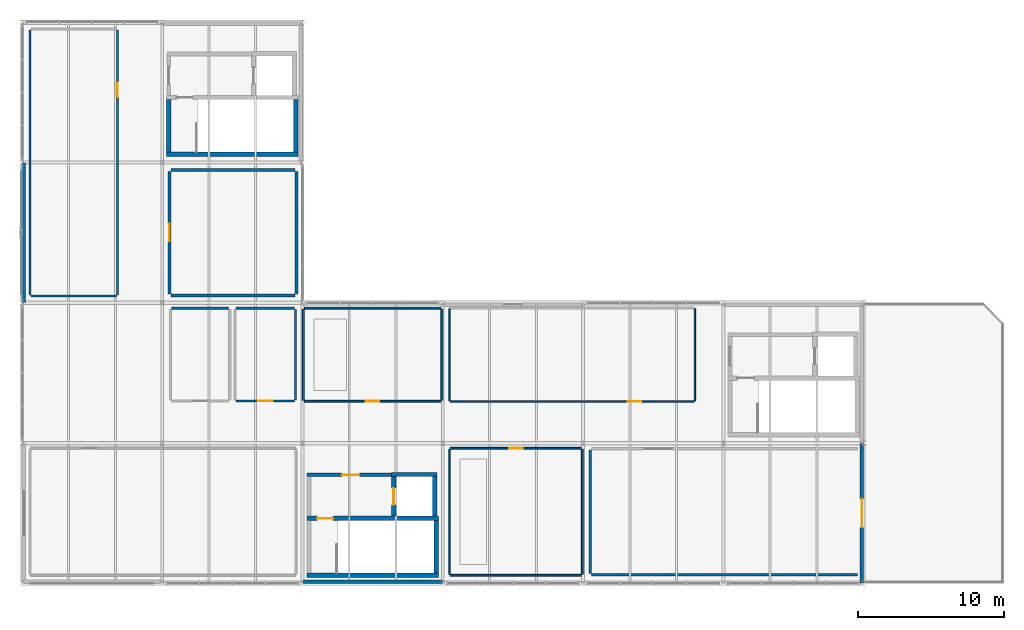
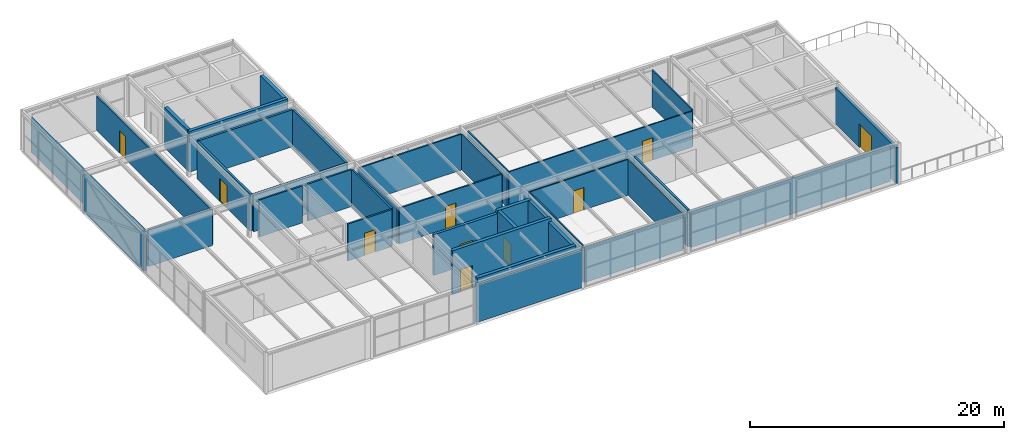
# One storey, part 31 of 33: 37 walls, 10 doors, 10 openings.
"""IFC4 building model written with IfcOpenShell, lengths in metres."""

from ifc_helpers import new_model, si_unit, direction, frame, frame_2d, origin, place, context, subcontext, project, spatial, rectangle, extrude, material, layer, layer_set, type_object, element, fill, save


model = new_model("IFC4")

# Units and contexts
model_context = context("Model", 3, precision=1e-05, world=origin(), true_north=direction((0.0, 1.0)))
body_context = subcontext(model_context, "Body", "Model", "MODEL_VIEW")
ifc_project = project(units=[si_unit("LENGTHUNIT", "METRE"), si_unit("AREAUNIT", "SQUARE_METRE"), si_unit("VOLUMEUNIT", "CUBIC_METRE"), si_unit("PLANEANGLEUNIT", "RADIAN"), si_unit("MASSUNIT", "GRAM", prefix="KILO")], contexts=[model_context])

# Site, building, storey
site_placement = place(None, origin())
site = spatial("IfcSite", under=ifc_project, at=site_placement, CompositionType="ELEMENT")
building_placement = place(site_placement, origin())
building = spatial("IfcBuilding", under=site, at=building_placement, Name="Coralgate Yard Interchange", CompositionType="ELEMENT")
storey_placement = place(building_placement, frame((0.0, 0.0, 23.10009765625)))
storey = spatial("IfcBuildingStorey", under=building, at=storey_placement, Name="L05", CompositionType="ELEMENT", Elevation=23.10009765625)

# Walls
ifc_material_1 = material(Name="Concrete C40/50", Category="concrete")
ifc_layer_1 = layer(ifc_material_1, 0.300048828125)
ifc_layer_set_1 = layer_set([ifc_layer_1], Name="Concrete C40/50")
wall_type_1 = type_object("IfcWallType", Name="WAL-CW300", PredefinedType="SHEAR", material=ifc_layer_set_1)
wall_1_placement = place(storey_placement, frame((9.89990234375, 29.3701171875, 0.0), z_axis=(0.0, 0.0, 1.0), x_axis=(1.0, 0.0, 0.0)))
element("IfcWall", 1, at=wall_1_placement, inside=storey, type_object=wall_type_1, Name="C1 L05 stair south shear wall", PredefinedType="SHEAR", context=body_context, shape_type="SweptSolid", body=[
    extrude(rectangle(XDim=9.0, YDim=0.300048828125, at=frame_2d((4.5, 0.0))), origin(), (0.0, 0.0, 1.0), 3.919921875),
])
for number, where, z_axis, x_axis, name in (
    (2, (10.050048828125, 29.52001953125, 0.0), (0.0, 0.0, 1.0), (0.0, 1.0, 0.0), "C1 L05 stair west shear wall"),
    (3, (18.75, 33.10009765625, 0.0), (0.0, 0.0, 1.0), (0.0, -1.0, 0.0), "C1 L05 stair east shear wall"),
):
    element("IfcWall", number, at=place(storey_placement, frame(where, z_axis=z_axis, x_axis=x_axis)), inside=storey, type_object=wall_type_1, Name=name, PredefinedType="SHEAR", context=body_context, shape_type="SweptSolid", body=[
        extrude(rectangle(XDim=3.580078125, YDim=0.300048828125, at=frame_2d((1.7900390625, 0.0))), origin(), (0.0, 0.0, 1.0), 3.919921875),
    ])
wall_2_placement = place(storey_placement, frame((19.5, 0.570068359375, 0.0), z_axis=(0.0, 0.0, 1.0), x_axis=(1.0, 0.0, 0.0)))
element("IfcWall", 4, at=wall_2_placement, inside=storey, type_object=wall_type_1, Name="C3 L05 stair south shear wall", PredefinedType="SHEAR", context=body_context, shape_type="SweptSolid", body=[
    extrude(rectangle(XDim=9.0, YDim=0.300048828125, at=frame_2d((4.5, 0.0))), origin(), (0.0, 0.0, 1.0), 3.919921875),
])

# Wall, opening, door
wall_3_placement = place(storey_placement, frame((28.5, 4.449951171875, 0.0), z_axis=(0.0, 0.0, 1.0), x_axis=(-1.0, 0.0, 0.0)))
wall_3 = element("IfcWall", 5, at=wall_3_placement, inside=storey, type_object=wall_type_1, Name="C3 L05 stair north shear wall", PredefinedType="SHEAR", context=body_context, shape_type="SweptSolid", body=[
    extrude(rectangle(XDim=9.0, YDim=0.300048828125, at=frame_2d((4.5, 0.0))), origin(), (0.0, 0.0, 1.0), 4.199951171875),
])
opening_1_placement = place(wall_3_placement, frame((7.199951171875, 0.0, 0.0)))
opening_1 = element("IfcOpeningElement", 6, at=opening_1_placement, cuts=wall_3, Name="Opening FD-1", PredefinedType="OPENING", context=body_context, shape_type="SweptSolid", body=[
    extrude(rectangle(XDim=1.10009765625, YDim=2.14990234375, at=frame_2d((0.550048828125, 1.074951171875))), frame((0.0, 0.159912109375, 0.0), z_axis=(0.0, -1.0, 0.0), x_axis=(1.0, 0.0, 0.0)), (0.0, 0.0, 1.0), 0.320068359375),
])
ifc_material_2 = material(Name="Powder-coated steel fire door assembly", Category="steel")
door_type_1 = type_object("IfcDoorType", Name="DOR-FD-1", OperationType="NOTDEFINED", PredefinedType="DOOR", material=ifc_material_2)
door_1_placement = place(opening_1_placement, frame((1.10009765625, 0.0, 0.0), z_axis=(0.0, 0.0, 1.0), x_axis=(-1.0, 0.0, 0.0)))
door_1 = element("IfcDoor", 7, at=door_1_placement, inside=storey, type_object=door_type_1, Name="C3 L05 stair fire door", OperationType="SINGLE_SWING_RIGHT", OverallHeight=2.14990234375, OverallWidth=1.10009765625, PredefinedType="DOOR", context=body_context, shape_type="SweptSolid", body=[
    extrude(rectangle(XDim=1.10009765625, YDim=2.14990234375, at=frame_2d((0.550048828125, 1.074951171875))), frame((0.0, 0.02490234375, 0.0), z_axis=(0.0, -1.0, 0.0), x_axis=(1.0, 0.0, 0.0)), (0.0, 0.0, 1.0), 0.050048828125),
])
fill(opening_1, door_1)

# Wall
wall_4_placement = place(storey_placement, frame((28.35009765625, 4.300048828125, 0.0), z_axis=(0.0, 0.0, 1.0), x_axis=(0.0, -1.0, 0.0)))
element("IfcWall", 8, at=wall_4_placement, inside=storey, type_object=wall_type_1, Name="C3 L05 stair east shear wall", PredefinedType="SHEAR", context=body_context, shape_type="SweptSolid", body=[
    extrude(rectangle(XDim=3.580078125, YDim=0.300048828125, at=frame_2d((1.7900390625, 0.0))), origin(), (0.0, 0.0, 1.0), 3.919921875),
])

# Wall, opening, door
wall_5_placement = place(storey_placement, frame((25.449951171875, 7.300048828125, 0.0), z_axis=(0.0, 0.0, 1.0), x_axis=(0.0, -1.0, 0.0)))
wall_5 = element("IfcWall", 9, at=wall_5_placement, inside=storey, type_object=wall_type_1, Name="C3 L05 lift front shear wall", PredefinedType="SHEAR", context=body_context, shape_type="SweptSolid", body=[
    extrude(rectangle(XDim=2.699951171875, YDim=0.300048828125, at=frame_2d((1.35009765625, 0.0))), origin(), (0.0, 0.0, 1.0), 4.199951171875),
])
opening_2_placement = place(wall_5_placement, frame((0.77490234375, 0.0, 0.0)))
opening_2 = element("IfcOpeningElement", 10, at=opening_2_placement, cuts=wall_5, Name="Opening LD-2", PredefinedType="OPENING", context=body_context, shape_type="SweptSolid", body=[
    extrude(rectangle(XDim=1.14990234375, YDim=2.10009765625, at=frame_2d((0.574951171875, 1.050048828125))), frame((0.0, 0.159912109375, 0.0), z_axis=(0.0, -1.0, 0.0), x_axis=(1.0, 0.0, 0.0)), (0.0, 0.0, 1.0), 0.320068359375),
])
ifc_material_3 = material(Name="Brushed stainless steel passenger lift landing door", Category="steel")
door_type_2 = type_object("IfcDoorType", Name="DOR-LD-2", OperationType="DOUBLE_DOOR_SLIDING", PredefinedType="DOOR", material=ifc_material_3)
door_2_placement = place(opening_2_placement, frame((1.14990234375, 0.0, 0.0), z_axis=(0.0, 0.0, 1.0), x_axis=(-1.0, 0.0, 0.0)))
door_2 = element("IfcDoor", 11, at=door_2_placement, inside=storey, type_object=door_type_2, Name="LF-01 L05 sliding lift landing door", OperationType="DOUBLE_DOOR_SLIDING", OverallHeight=2.10009765625, OverallWidth=1.14990234375, PredefinedType="DOOR", context=body_context, shape_type="SweptSolid", body=[
    extrude(rectangle(XDim=1.14990234375, YDim=2.10009765625, at=frame_2d((0.574951171875, 1.050048828125))), frame((0.0, 0.02490234375, 0.0), z_axis=(0.0, -1.0, 0.0), x_axis=(1.0, 0.0, 0.0)), (0.0, 0.0, 1.0), 0.050048828125),
])
fill(opening_2, door_2)

# Walls
wall_6_placement = place(storey_placement, frame((28.25, 4.60009765625, 0.0), z_axis=(0.0, 0.0, 1.0), x_axis=(0.0, 1.0, 0.0)))
element("IfcWall", 12, at=wall_6_placement, inside=storey, type_object=wall_type_1, Name="C3 L05 lift rear shear wall", PredefinedType="SHEAR", context=body_context, shape_type="SweptSolid", body=[
    extrude(rectangle(XDim=2.699951171875, YDim=0.300048828125, at=frame_2d((1.35009765625, 0.0))), origin(), (0.0, 0.0, 1.0), 4.199951171875),
])
wall_7_placement = place(storey_placement, frame((25.300048828125, 7.449951171875, 0.0), z_axis=(0.0, 0.0, 1.0), x_axis=(1.0, 0.0, 0.0)))
element("IfcWall", 13, at=wall_7_placement, inside=storey, type_object=wall_type_1, Name="C3 L05 lift north shear wall", PredefinedType="SHEAR", context=body_context, shape_type="SweptSolid", body=[
    extrude(rectangle(XDim=3.099853515625, YDim=0.300048828125, at=frame_2d((1.5498046875, 0.0))), origin(), (0.0, 0.0, 1.0), 4.199951171875),
])
ifc_material_4 = material(Name="Insulated rendered concrete blockwork", Category="masonry")
ifc_layer_2 = layer(ifc_material_4, 0.239990234375)
ifc_layer_set_2 = layer_set([ifc_layer_2], Name="Insulated rendered concrete blockwork")
wall_type_2 = type_object("IfcWallType", Name="WAL-EW-240", PredefinedType="SOLIDWALL", material=ifc_layer_set_2)
wall_8_placement = place(storey_placement, frame((0.1201171875, 19.219970703125, 0.0), z_axis=(0.0, 0.0, 1.0), x_axis=(0.0, 1.0, 0.0)))
element("IfcWall", 14, at=wall_8_placement, inside=storey, type_object=wall_type_2, Name="L05 exterior coastal wall W 0-2", PredefinedType="SOLIDWALL", context=body_context, shape_type="SweptSolid", body=[
    extrude(rectangle(XDim=9.56005859375, YDim=0.239990234375, at=frame_2d((4.780029296875, 0.0))), origin(), (0.0, 0.0, 1.0), 3.462890625),
])
wall_9_placement = place(storey_placement, frame((28.780029296875, 0.1201171875, 0.0), z_axis=(0.0, 0.0, 1.0), x_axis=(-1.0, 0.0, 0.0)))
element("IfcWall", 15, at=wall_9_placement, inside=storey, type_object=wall_type_2, Name="L05 exterior coastal wall S 2-0", PredefinedType="SOLIDWALL", context=body_context, shape_type="SweptSolid", body=[
    extrude(rectangle(XDim=9.56005859375, YDim=0.239990234375, at=frame_2d((4.780029296875, 0.0))), origin(), (0.0, 0.0, 1.0), 3.6298828125),
])

# Wall, opening, door
wall_10_placement = place(storey_placement, frame((57.47998046875, 9.580078125, 0.0), z_axis=(0.0, 0.0, 1.0), x_axis=(0.0, -1.0, 0.0)))
wall_10 = element("IfcWall", 16, at=wall_10_placement, inside=storey, type_object=wall_type_2, Name="L05 exterior coastal wall E 5-0", PredefinedType="SOLIDWALL", context=body_context, shape_type="SweptSolid", body=[
    extrude(rectangle(XDim=9.56005859375, YDim=0.239990234375, at=frame_2d((4.780029296875, 0.0))), origin(), (0.0, 0.0, 1.0), 3.462890625),
])
opening_3_placement = place(wall_10_placement, frame((3.800048828125, 0.0, 0.0)))
opening_3 = element("IfcOpeningElement", 17, at=opening_3_placement, cuts=wall_10, Name="Opening VD-4", PredefinedType="OPENING", context=body_context, shape_type="SweptSolid", body=[
    extrude(rectangle(XDim=1.949951171875, YDim=2.25, at=frame_2d((0.97509765625, 1.125))), frame((0.0, 0.1298828125, 0.0), z_axis=(0.0, -1.0, 0.0), x_axis=(1.0, 0.0, 0.0)), (0.0, 0.0, 1.0), 0.260009765625),
])
ifc_material_5 = material(Name="Thermally broken aluminium executive terrace double door", Category="aluminium")
door_type_3 = type_object("IfcDoorType", Name="DOR-VD-4", OperationType="NOTDEFINED", PredefinedType="DOOR", material=ifc_material_5)
door_3_placement = place(opening_3_placement, origin())
door_3 = element("IfcDoor", 18, at=door_3_placement, inside=storey, type_object=door_type_3, Name="L05 coastal veranda double door 5-0", OperationType="DOUBLE_DOOR_SINGLE_SWING", OverallHeight=2.25, OverallWidth=1.949951171875, PredefinedType="DOOR", context=body_context, shape_type="SweptSolid", body=[
    extrude(rectangle(XDim=1.949951171875, YDim=2.25, at=frame_2d((0.97509765625, 1.125))), frame((0.0, 0.02490234375, 0.0), z_axis=(0.0, -1.0, 0.0), x_axis=(1.0, 0.0, 0.0)), (0.0, 0.0, 1.0), 0.050048828125),
])
fill(opening_3, door_3)

# Wall
ifc_material_6 = material(Name="Glazed acoustic office partition")
ifc_layer_3 = layer(ifc_material_6, 0.110107421875)
ifc_layer_set_3 = layer_set([ifc_layer_3], Name="Glazed acoustic office partition")
wall_type_3 = type_object("IfcWallType", Name="WAL-PW-110", PredefinedType="PARTITIONING", material=ifc_layer_set_3)
wall_11_placement = place(storey_placement, frame((38.2900390625, 0.554931640625, 0.0), z_axis=(0.0, 0.0, 1.0), x_axis=(-1.0, 0.0, 0.0)))
element("IfcWall", 19, at=wall_11_placement, inside=storey, type_object=wall_type_3, Name="Infrastructure Engineering Design Studio partition S", PredefinedType="PARTITIONING", context=body_context, shape_type="SweptSolid", body=[
    extrude(rectangle(XDim=8.97998046875, YDim=0.110107421875, at=frame_2d((4.489990234375, 0.0))), origin(), (0.0, 0.0, 1.0), 3.452880859375),
])

# Wall, opening, door
wall_12_placement = place(storey_placement, frame((29.31005859375, 9.2451171875, 0.0), z_axis=(0.0, 0.0, 1.0), x_axis=(1.0, 0.0, 0.0)))
wall_12 = element("IfcWall", 20, at=wall_12_placement, inside=storey, type_object=wall_type_3, Name="Infrastructure Engineering Design Studio partition N", PredefinedType="PARTITIONING", context=body_context, shape_type="SweptSolid", body=[
    extrude(rectangle(XDim=8.97998046875, YDim=0.110107421875, at=frame_2d((4.489990234375, 0.0))), origin(), (0.0, 0.0, 1.0), 3.452880859375),
])
opening_4_placement = place(wall_12_placement, frame((4.030029296875, 0.0, 0.0)))
opening_4 = element("IfcOpeningElement", 21, at=opening_4_placement, cuts=wall_12, Name="Opening ID-11", PredefinedType="OPENING", context=body_context, shape_type="SweptSolid", body=[
    extrude(rectangle(XDim=0.919921875, YDim=2.14990234375, at=frame_2d((0.4599609375, 1.074951171875))), frame((0.0, 0.06494140625, 0.0), z_axis=(0.0, -1.0, 0.0), x_axis=(1.0, 0.0, 0.0)), (0.0, 0.0, 1.0), 0.130126953125),
])
ifc_material_7 = material(Name="Timber administrative room door", Category="wood")
door_type_4 = type_object("IfcDoorType", Name="DOR-ID-11", OperationType="NOTDEFINED", PredefinedType="DOOR", material=ifc_material_7)
door_4_placement = place(opening_4_placement, frame((0.919921875, 0.0, 0.0), z_axis=(0.0, 0.0, 1.0), x_axis=(-1.0, 0.0, 0.0)))
door_4 = element("IfcDoor", 22, at=door_4_placement, inside=storey, type_object=door_type_4, Name="Infrastructure Engineering Design Studio door", OperationType="SINGLE_SWING_LEFT", OverallHeight=2.14990234375, OverallWidth=0.919921875, PredefinedType="DOOR", context=body_context, shape_type="SweptSolid", body=[
    extrude(rectangle(XDim=0.919921875, YDim=2.14990234375, at=frame_2d((0.4599609375, 1.074951171875))), frame((0.0, 0.02490234375, 0.0), z_axis=(0.0, -1.0, 0.0), x_axis=(1.0, 0.0, 0.0)), (0.0, 0.0, 1.0), 0.050048828125),
])
fill(opening_4, door_4)

# Walls
wall_13_placement = place(storey_placement, frame((29.2548828125, 0.610107421875, 0.0), z_axis=(0.0, 0.0, 1.0), x_axis=(0.0, 1.0, 0.0)))
element("IfcWall", 23, at=wall_13_placement, inside=storey, type_object=wall_type_3, Name="Infrastructure Engineering Design Studio partition W", PredefinedType="PARTITIONING", context=body_context, shape_type="SweptSolid", body=[
    extrude(rectangle(XDim=8.579833984375, YDim=0.110107421875, at=frame_2d((4.2900390625, 0.0))), origin(), (0.0, 0.0, 1.0), 3.559814453125),
])
wall_14_placement = place(storey_placement, frame((38.344970703125, 9.18994140625, 0.0), z_axis=(0.0, 0.0, 1.0), x_axis=(0.0, -1.0, 0.0)))
element("IfcWall", 24, at=wall_14_placement, inside=storey, type_object=wall_type_3, Name="Infrastructure Engineering Design Studio partition E", PredefinedType="PARTITIONING", context=body_context, shape_type="SweptSolid", body=[
    extrude(rectangle(XDim=8.579833984375, YDim=0.110107421875, at=frame_2d((4.2900390625, 0.0))), origin(), (0.0, 0.0, 1.0), 3.452880859375),
])

# Wall, opening, door
wall_15_placement = place(storey_placement, frame((45.989990234375, 12.455078125, 0.0), z_axis=(0.0, 0.0, 1.0), x_axis=(-1.0, 0.0, 0.0)))
wall_15 = element("IfcWall", 25, at=wall_15_placement, inside=storey, type_object=wall_type_3, Name="Directorate and Legal Advisory Offices partition S", PredefinedType="PARTITIONING", context=body_context, shape_type="SweptSolid", body=[
    extrude(rectangle(XDim=16.679931640625, YDim=0.110107421875, at=frame_2d((8.33984375, 0.0))), origin(), (0.0, 0.0, 1.0), 3.452880859375),
])
opening_5_placement = place(wall_15_placement, frame((3.60009765625, 0.0, 0.0)))
opening_5 = element("IfcOpeningElement", 26, at=opening_5_placement, cuts=wall_15, Name="Opening ID-01", PredefinedType="OPENING", context=body_context, shape_type="SweptSolid", body=[
    extrude(rectangle(XDim=0.949951171875, YDim=2.14990234375, at=frame_2d((0.47509765625, 1.074951171875))), frame((0.0, 0.06494140625, 0.0), z_axis=(0.0, -1.0, 0.0), x_axis=(1.0, 0.0, 0.0)), (0.0, 0.0, 1.0), 0.130126953125),
])
ifc_material_8 = material(Name="Solid-core hardwood timber office door", Category="wood")
door_type_5 = type_object("IfcDoorType", Name="DOR-ID-01", OperationType="NOTDEFINED", PredefinedType="DOOR", material=ifc_material_8)
door_5_placement = place(opening_5_placement, frame((0.949951171875, 0.0, 0.0), z_axis=(0.0, 0.0, 1.0), x_axis=(-1.0, 0.0, 0.0)))
door_5 = element("IfcDoor", 27, at=door_5_placement, inside=storey, type_object=door_type_5, Name="Directorate and Legal Advisory Offices door", OperationType="SINGLE_SWING_LEFT", OverallHeight=2.14990234375, OverallWidth=0.949951171875, PredefinedType="DOOR", context=body_context, shape_type="SweptSolid", body=[
    extrude(rectangle(XDim=0.949951171875, YDim=2.14990234375, at=frame_2d((0.47509765625, 1.074951171875))), frame((0.0, 0.02490234375, 0.0), z_axis=(0.0, -1.0, 0.0), x_axis=(1.0, 0.0, 0.0)), (0.0, 0.0, 1.0), 0.050048828125),
])
fill(opening_5, door_5)

# Walls
for number, where, z_axis, x_axis, name in (
    (28, (29.2548828125, 12.510009765625, 0.0), (0.0, 0.0, 1.0), (0.0, 1.0, 0.0), "Directorate and Legal Advisory Offices partition W"),
    (29, (46.044921875, 18.7900390625, 0.0), (0.0, 0.0, 1.0), (0.0, -1.0, 0.0), "Directorate and Legal Advisory Offices partition E"),
):
    element("IfcWall", number, at=place(storey_placement, frame(where, z_axis=z_axis, x_axis=x_axis)), inside=storey, type_object=wall_type_3, Name=name, PredefinedType="PARTITIONING", context=body_context, shape_type="SweptSolid", body=[
        extrude(rectangle(XDim=6.280029296875, YDim=0.110107421875, at=frame_2d((3.14013671875, 0.0))), origin(), (0.0, 0.0, 1.0), 3.559814453125),
    ])

# Wall, opening, door
ifc_material_9 = material(Name="Fire-lined corridor stud partition")
ifc_layer_4 = layer(ifc_material_9, 0.1298828125)
ifc_layer_set_4 = layer_set([ifc_layer_4], Name="Fire-lined corridor stud partition")
wall_type_4 = type_object("IfcWallType", Name="WAL-PW-130", PredefinedType="PARTITIONING", material=ifc_layer_set_4)
wall_16_placement = place(storey_placement, frame((28.669921875, 12.465087890625, 0.0), z_axis=(0.0, 0.0, 1.0), x_axis=(-1.0, 0.0, 0.0)))
wall_16 = element("IfcWall", 30, at=wall_16_placement, inside=storey, type_object=wall_type_4, Name="Capital Projects Procurement Suite partition S", PredefinedType="PARTITIONING", context=body_context, shape_type="SweptSolid", body=[
    extrude(rectangle(XDim=9.33984375, YDim=0.1298828125, at=frame_2d((4.669921875, 0.0))), origin(), (0.0, 0.0, 1.0), 3.452880859375),
])
opening_6_placement = place(wall_16_placement, frame((4.2099609375, 0.0, 0.0)))
opening_6 = element("IfcOpeningElement", 31, at=opening_6_placement, cuts=wall_16, Name="Opening ID-11", PredefinedType="OPENING", context=body_context, shape_type="SweptSolid", body=[
    extrude(rectangle(XDim=0.919921875, YDim=2.14990234375, at=frame_2d((0.4599609375, 1.074951171875))), frame((0.0, 0.074951171875, 0.0), z_axis=(0.0, -1.0, 0.0), x_axis=(1.0, 0.0, 0.0)), (0.0, 0.0, 1.0), 0.14990234375),
])
door_6_placement = place(opening_6_placement, frame((0.919921875, 0.0, 0.0), z_axis=(0.0, 0.0, 1.0), x_axis=(-1.0, 0.0, 0.0)))
door_6 = element("IfcDoor", 32, at=door_6_placement, inside=storey, type_object=door_type_4, Name="Capital Projects Procurement Suite door", OperationType="SINGLE_SWING_RIGHT", OverallHeight=2.14990234375, OverallWidth=0.919921875, PredefinedType="DOOR", context=body_context, shape_type="SweptSolid", body=[
    extrude(rectangle(XDim=0.919921875, YDim=2.14990234375, at=frame_2d((0.4599609375, 1.074951171875))), frame((0.0, 0.02490234375, 0.0), z_axis=(0.0, -1.0, 0.0), x_axis=(1.0, 0.0, 0.0)), (0.0, 0.0, 1.0), 0.050048828125),
])
fill(opening_6, door_6)

# Walls
wall_17_placement = place(storey_placement, frame((19.330078125, 18.8349609375, 0.0), z_axis=(0.0, 0.0, 1.0), x_axis=(1.0, 0.0, 0.0)))
element("IfcWall", 33, at=wall_17_placement, inside=storey, type_object=wall_type_4, Name="Capital Projects Procurement Suite partition N", PredefinedType="PARTITIONING", context=body_context, shape_type="SweptSolid", body=[
    extrude(rectangle(XDim=9.33984375, YDim=0.1298828125, at=frame_2d((4.669921875, 0.0))), origin(), (0.0, 0.0, 1.0), 3.452880859375),
])
for number, where, z_axis, x_axis, name in (
    (34, (19.264892578125, 12.530029296875, 0.0), (0.0, 0.0, 1.0), (0.0, 1.0, 0.0), "Capital Projects Procurement Suite partition W"),
    (35, (28.735107421875, 18.77001953125, 0.0), (0.0, 0.0, 1.0), (0.0, -1.0, 0.0), "Capital Projects Procurement Suite partition E"),
):
    element("IfcWall", number, at=place(storey_placement, frame(where, z_axis=z_axis, x_axis=x_axis)), inside=storey, type_object=wall_type_4, Name=name, PredefinedType="PARTITIONING", context=body_context, shape_type="SweptSolid", body=[
        extrude(rectangle(XDim=6.239990234375, YDim=0.1298828125, at=frame_2d((3.1201171875, 0.0))), origin(), (0.0, 0.0, 1.0), 3.452880859375),
    ])
ifc_material_10 = material(Name="Acoustic twin-stud office partition")
ifc_layer_5 = layer(ifc_material_10, 0.139892578125)
ifc_layer_set_5 = layer_set([ifc_layer_5], Name="Acoustic twin-stud office partition")
wall_type_5 = type_object("IfcWallType", Name="WAL-PW-140", PredefinedType="PARTITIONING", material=ifc_layer_set_5)
wall_18_placement = place(storey_placement, frame((6.4599609375, 19.669921875, 0.0), z_axis=(0.0, 0.0, 1.0), x_axis=(-1.0, 0.0, 0.0)))
element("IfcWall", 36, at=wall_18_placement, inside=storey, type_object=wall_type_5, Name="Executive Veranda Reception Lounge partition S", PredefinedType="PARTITIONING", context=body_context, shape_type="SweptSolid", body=[
    extrude(rectangle(XDim=5.820068359375, YDim=0.139892578125, at=frame_2d((2.91015625, 0.0))), origin(), (0.0, 0.0, 1.0), 3.559814453125),
])
wall_19_placement = place(storey_placement, frame((0.570068359375, 19.739990234375, 0.0), z_axis=(0.0, 0.0, 1.0), x_axis=(0.0, 1.0, 0.0)))
element("IfcWall", 37, at=wall_19_placement, inside=storey, type_object=wall_type_5, Name="Executive Veranda Reception Lounge partition W", PredefinedType="PARTITIONING", context=body_context, shape_type="SweptSolid", body=[
    extrude(rectangle(XDim=18.1201171875, YDim=0.139892578125, at=frame_2d((9.06005859375, 0.0))), origin(), (0.0, 0.0, 1.0), 3.30224609375),
])

# Wall, opening, door
wall_20_placement = place(storey_placement, frame((6.530029296875, 37.860107421875, 0.0), z_axis=(0.0, 0.0, 1.0), x_axis=(0.0, -1.0, 0.0)))
wall_20 = element("IfcWall", 38, at=wall_20_placement, inside=storey, type_object=wall_type_5, Name="Executive Veranda Reception Lounge partition E", PredefinedType="PARTITIONING", context=body_context, shape_type="SweptSolid", body=[
    extrude(rectangle(XDim=18.1201171875, YDim=0.139892578125, at=frame_2d((9.06005859375, 0.0))), origin(), (0.0, 0.0, 1.0), 3.30224609375),
])
opening_7_placement = place(wall_20_placement, frame((3.60009765625, 0.0, 0.0)))
opening_7 = element("IfcOpeningElement", 39, at=opening_7_placement, cuts=wall_20, Name="Opening ID-01", PredefinedType="OPENING", context=body_context, shape_type="SweptSolid", body=[
    extrude(rectangle(XDim=0.949951171875, YDim=2.14990234375, at=frame_2d((0.47509765625, 1.074951171875))), frame((0.0, 0.079833984375, 0.0), z_axis=(0.0, -1.0, 0.0), x_axis=(1.0, 0.0, 0.0)), (0.0, 0.0, 1.0), 0.159912109375),
])
door_7_placement = place(opening_7_placement, frame((0.949951171875, 0.0, 0.0), z_axis=(0.0, 0.0, 1.0), x_axis=(-1.0, 0.0, 0.0)))
door_7 = element("IfcDoor", 40, at=door_7_placement, inside=storey, type_object=door_type_5, Name="Executive Veranda Reception Lounge door", OperationType="SINGLE_SWING_LEFT", OverallHeight=2.14990234375, OverallWidth=0.949951171875, PredefinedType="DOOR", context=body_context, shape_type="SweptSolid", body=[
    extrude(rectangle(XDim=0.949951171875, YDim=2.14990234375, at=frame_2d((0.47509765625, 1.074951171875))), frame((0.0, 0.02490234375, 0.0), z_axis=(0.0, -1.0, 0.0), x_axis=(1.0, 0.0, 0.0)), (0.0, 0.0, 1.0), 0.050048828125),
])
fill(opening_7, door_7)

# Wall
ifc_material_11 = material(Name="Moisture-resistant masonry washroom wall", Category="masonry")
ifc_layer_6 = layer(ifc_material_11, 0.14990234375)
ifc_layer_set_6 = layer_set([ifc_layer_6], Name="Moisture-resistant masonry washroom wall")
wall_type_6 = type_object("IfcWallType", Name="WAL-PW-150", PredefinedType="PLUMBINGWALL", material=ifc_layer_set_6)
wall_21_placement = place(storey_placement, frame((10.25, 18.824951171875, 0.0), z_axis=(0.0, 0.0, 1.0), x_axis=(1.0, 0.0, 0.0)))
element("IfcWall", 41, at=wall_21_placement, inside=storey, type_object=wall_type_6, Name="L05 Management Washroom partition N", PredefinedType="PLUMBINGWALL", context=body_context, shape_type="SweptSolid", body=[
    extrude(rectangle(XDim=3.89990234375, YDim=0.14990234375, at=frame_2d((1.949951171875, 0.0))), origin(), (0.0, 0.0, 1.0), 3.559814453125),
])

# Wall, opening, door
wall_22_placement = place(storey_placement, frame((18.64990234375, 12.47509765625, 0.0), z_axis=(0.0, 0.0, 1.0), x_axis=(-1.0, 0.0, 0.0)))
wall_22 = element("IfcWall", 42, at=wall_22_placement, inside=storey, type_object=wall_type_6, Name="L05 Accessible WC partition S", PredefinedType="PLUMBINGWALL", context=body_context, shape_type="SweptSolid", body=[
    extrude(rectangle(XDim=4.0, YDim=0.14990234375, at=frame_2d((2.0, 0.0))), origin(), (0.0, 0.0, 1.0), 3.559814453125),
])
opening_8_placement = place(wall_22_placement, frame((1.5, 0.0, 0.0)))
opening_8 = element("IfcOpeningElement", 43, at=opening_8_placement, cuts=wall_22, Name="Opening ID-02", PredefinedType="OPENING", context=body_context, shape_type="SweptSolid", body=[
    extrude(rectangle(XDim=1.0, YDim=2.14990234375, at=frame_2d((0.5, 1.074951171875))), frame((0.0, 0.0849609375, 0.0), z_axis=(0.0, -1.0, 0.0), x_axis=(1.0, 0.0, 0.0)), (0.0, 0.0, 1.0), 0.169921875),
])
ifc_material_12 = material(Name="Accessible wide-leaf washroom and office door")
door_type_6 = type_object("IfcDoorType", Name="DOR-ID-02", OperationType="NOTDEFINED", PredefinedType="DOOR", material=ifc_material_12)
door_8_placement = place(opening_8_placement, frame((1.0, 0.0, 0.0), z_axis=(0.0, 0.0, 1.0), x_axis=(-1.0, 0.0, 0.0)))
door_8 = element("IfcDoor", 44, at=door_8_placement, inside=storey, type_object=door_type_6, Name="L05 Accessible WC door", OperationType="SINGLE_SWING_RIGHT", OverallHeight=2.14990234375, OverallWidth=1.0, PredefinedType="DOOR", context=body_context, shape_type="SweptSolid", body=[
    extrude(rectangle(XDim=1.0, YDim=2.14990234375, at=frame_2d((0.5, 1.074951171875))), frame((0.0, 0.02490234375, 0.0), z_axis=(0.0, -1.0, 0.0), x_axis=(1.0, 0.0, 0.0)), (0.0, 0.0, 1.0), 0.050048828125),
])
fill(opening_8, door_8)

# Walls
wall_23_placement = place(storey_placement, frame((14.64990234375, 18.824951171875, 0.0), z_axis=(0.0, 0.0, 1.0), x_axis=(1.0, 0.0, 0.0)))
element("IfcWall", 45, at=wall_23_placement, inside=storey, type_object=wall_type_6, Name="L05 Accessible WC partition N", PredefinedType="PLUMBINGWALL", context=body_context, shape_type="SweptSolid", body=[
    extrude(rectangle(XDim=4.0, YDim=0.14990234375, at=frame_2d((2.0, 0.0))), origin(), (0.0, 0.0, 1.0), 3.559814453125),
])
wall_24_placement = place(storey_placement, frame((18.72509765625, 18.75, 0.0), z_axis=(0.0, 0.0, 1.0), x_axis=(0.0, -1.0, 0.0)))
element("IfcWall", 46, at=wall_24_placement, inside=storey, type_object=wall_type_6, Name="L05 Accessible WC partition E", PredefinedType="PLUMBINGWALL", context=body_context, shape_type="SweptSolid", body=[
    extrude(rectangle(XDim=6.199951171875, YDim=0.14990234375, at=frame_2d((3.10009765625, 0.0))), origin(), (0.0, 0.0, 1.0), 3.559814453125),
])
ifc_material_13 = material(Name="Acoustic concrete blockwork", Category="masonry")
ifc_layer_7 = layer(ifc_material_13, 0.179931640625)
ifc_layer_set_7 = layer_set([ifc_layer_7], Name="Acoustic concrete blockwork")
wall_type_7 = type_object("IfcWallType", Name="WAL-PW-180", PredefinedType="PARTITIONING", material=ifc_layer_set_7)
wall_25_placement = place(storey_placement, frame((57.159912109375, 0.590087890625, 0.0), z_axis=(0.0, 0.0, 1.0), x_axis=(-1.0, 0.0, 0.0)))
element("IfcWall", 47, at=wall_25_placement, inside=storey, type_object=wall_type_7, Name="Executive Transit Board Conference Hall partition S", PredefinedType="PARTITIONING", context=body_context, shape_type="SweptSolid", body=[
    extrude(rectangle(XDim=18.179931640625, YDim=0.179931640625, at=frame_2d((9.08984375, 0.0))), origin(), (0.0, 0.0, 1.0), 3.452880859375),
])
wall_26_placement = place(storey_placement, frame((38.889892578125, 0.679931640625, 0.0), z_axis=(0.0, 0.0, 1.0), x_axis=(0.0, 1.0, 0.0)))
element("IfcWall", 48, at=wall_26_placement, inside=storey, type_object=wall_type_7, Name="Executive Transit Board Conference Hall partition W", PredefinedType="PARTITIONING", context=body_context, shape_type="SweptSolid", body=[
    extrude(rectangle(XDim=8.440185546875, YDim=0.179931640625, at=frame_2d((4.22021484375, 0.0))), origin(), (0.0, 0.0, 1.0), 3.559814453125),
])
ifc_material_14 = material(Name="Concrete blockwork masonry", Category="masonry")
ifc_layer_8 = layer(ifc_material_14, 0.199951171875)
ifc_layer_set_8 = layer_set([ifc_layer_8], Name="Concrete blockwork masonry")
wall_type_8 = type_object("IfcWallType", Name="WAL-PW-200", PredefinedType="PARTITIONING", material=ifc_layer_set_8)
for number, where, z_axis, x_axis, name in (
    (49, (18.699951171875, 19.699951171875, 0.0), (0.0, 0.0, 1.0), (-1.0, 0.0, 0.0), "Upper Wing Fresh-Air Handling Plant Room partition S"),
    (50, (10.199951171875, 28.300048828125, 0.0), (0.0, 0.0, 1.0), (1.0, 0.0, 0.0), "Upper Wing Fresh-Air Handling Plant Room partition N"),
):
    element("IfcWall", number, at=place(storey_placement, frame(where, z_axis=z_axis, x_axis=x_axis)), inside=storey, type_object=wall_type_8, Name=name, PredefinedType="PARTITIONING", context=body_context, shape_type="SweptSolid", body=[
        extrude(rectangle(XDim=8.5, YDim=0.199951171875, at=frame_2d((4.25, 0.0))), origin(), (0.0, 0.0, 1.0), 3.559814453125),
    ])

# Wall, opening, door
wall_27_placement = place(storey_placement, frame((10.10009765625, 19.800048828125, 0.0), z_axis=(0.0, 0.0, 1.0), x_axis=(0.0, 1.0, 0.0)))
wall_27 = element("IfcWall", 51, at=wall_27_placement, inside=storey, type_object=wall_type_8, Name="Upper Wing Fresh-Air Handling Plant Room partition W", PredefinedType="PARTITIONING", context=body_context, shape_type="SweptSolid", body=[
    extrude(rectangle(XDim=8.39990234375, YDim=0.199951171875, at=frame_2d((4.199951171875, 0.0))), origin(), (0.0, 0.0, 1.0), 3.559814453125),
])
opening_9_placement = place(wall_27_placement, frame((3.60009765625, 0.0, 0.0)))
opening_9 = element("IfcOpeningElement", 52, at=opening_9_placement, cuts=wall_27, Name="Opening ID-05", PredefinedType="OPENING", context=body_context, shape_type="SweptSolid", body=[
    extrude(rectangle(XDim=1.199951171875, YDim=2.199951171875, at=frame_2d((0.60009765625, 1.10009765625))), frame((0.0, 0.10986328125, 0.0), z_axis=(0.0, -1.0, 0.0), x_axis=(1.0, 0.0, 0.0)), (0.0, 0.0, 1.0), 0.219970703125),
])
ifc_material_15 = material(Name="Powder-coated steel plant and store fire door", Category="steel")
door_type_7 = type_object("IfcDoorType", Name="DOR-ID-05", OperationType="NOTDEFINED", PredefinedType="DOOR", material=ifc_material_15)
door_9_placement = place(opening_9_placement, frame((1.199951171875, 0.0, 0.0), z_axis=(0.0, 0.0, 1.0), x_axis=(-1.0, 0.0, 0.0)))
door_9 = element("IfcDoor", 53, at=door_9_placement, inside=storey, type_object=door_type_7, Name="Upper Wing Fresh-Air Handling Plant Room door", OperationType="SINGLE_SWING_RIGHT", OverallHeight=2.199951171875, OverallWidth=1.199951171875, PredefinedType="DOOR", context=body_context, shape_type="SweptSolid", body=[
    extrude(rectangle(XDim=1.199951171875, YDim=2.199951171875, at=frame_2d((0.60009765625, 1.10009765625))), frame((0.0, 0.02490234375, 0.0), z_axis=(0.0, -1.0, 0.0), x_axis=(1.0, 0.0, 0.0)), (0.0, 0.0, 1.0), 0.050048828125),
])
fill(opening_9, door_9)

# Wall
wall_28_placement = place(storey_placement, frame((18.800048828125, 28.199951171875, 0.0), z_axis=(0.0, 0.0, 1.0), x_axis=(0.0, -1.0, 0.0)))
element("IfcWall", 54, at=wall_28_placement, inside=storey, type_object=wall_type_8, Name="Upper Wing Fresh-Air Handling Plant Room partition E", PredefinedType="PARTITIONING", context=body_context, shape_type="SweptSolid", body=[
    extrude(rectangle(XDim=8.39990234375, YDim=0.199951171875, at=frame_2d((4.199951171875, 0.0))), origin(), (0.0, 0.0, 1.0), 3.559814453125),
])

# Wall, opening, door
ifc_layer_9 = layer(ifc_material_1, 0.25)
ifc_layer_set_9 = layer_set([ifc_layer_9], Name="Concrete C40/50")
wall_type_9 = type_object("IfcWallType", Name="WAL-SW250", PredefinedType="SHEAR", material=ifc_layer_set_9)
wall_29_placement = place(storey_placement, frame((25.300048828125, 7.425048828125, 0.0), z_axis=(0.0, 0.0, 1.0), x_axis=(-1.0, 0.0, 0.0)))
wall_29 = element("IfcWall", 55, at=wall_29_placement, inside=storey, type_object=wall_type_9, Name="C3 L05 lobby north fire wall", PredefinedType="SHEAR", context=body_context, shape_type="SweptSolid", body=[
    extrude(rectangle(XDim=5.775146484375, YDim=0.25, at=frame_2d((2.8876953125, 0.0))), origin(), (0.0, 0.0, 1.0), 3.919921875),
])
opening_10_placement = place(wall_29_placement, frame((2.199951171875, 0.0, 0.0)))
opening_10 = element("IfcOpeningElement", 56, at=opening_10_placement, cuts=wall_29, Name="Opening FD-2", PredefinedType="OPENING", context=body_context, shape_type="SweptSolid", body=[
    extrude(rectangle(XDim=1.199951171875, YDim=2.14990234375, at=frame_2d((0.60009765625, 1.074951171875))), frame((0.0, 0.135009765625, 0.0), z_axis=(0.0, -1.0, 0.0), x_axis=(1.0, 0.0, 0.0)), (0.0, 0.0, 1.0), 0.27001953125),
])
door_type_8 = type_object("IfcDoorType", Name="DOR-FD-2", OperationType="NOTDEFINED", PredefinedType="DOOR", material=ifc_material_2)
door_10_placement = place(opening_10_placement, origin())
door_10 = element("IfcDoor", 57, at=door_10_placement, inside=storey, type_object=door_type_8, Name="C3 L05 lobby fire door", OperationType="SINGLE_SWING_LEFT", OverallHeight=2.14990234375, OverallWidth=1.199951171875, PredefinedType="DOOR", context=body_context, shape_type="SweptSolid", body=[
    extrude(rectangle(XDim=1.199951171875, YDim=2.14990234375, at=frame_2d((0.60009765625, 1.074951171875))), frame((0.0, 0.02490234375, 0.0), z_axis=(0.0, -1.0, 0.0), x_axis=(1.0, 0.0, 0.0)), (0.0, 0.0, 1.0), 0.050048828125),
])
fill(opening_10, door_10)

save(model, "model.ifc")
